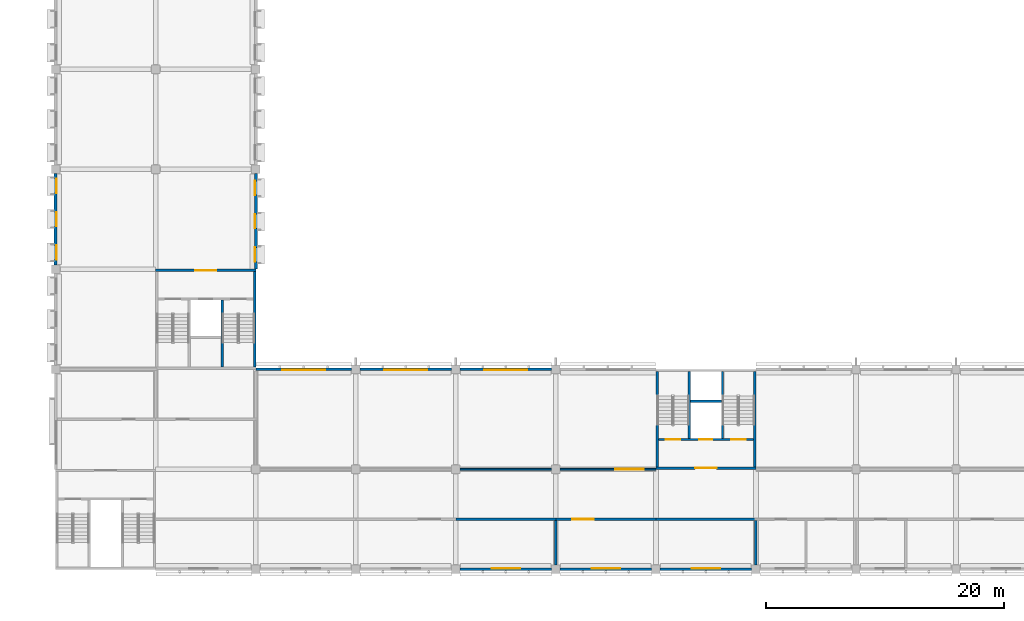
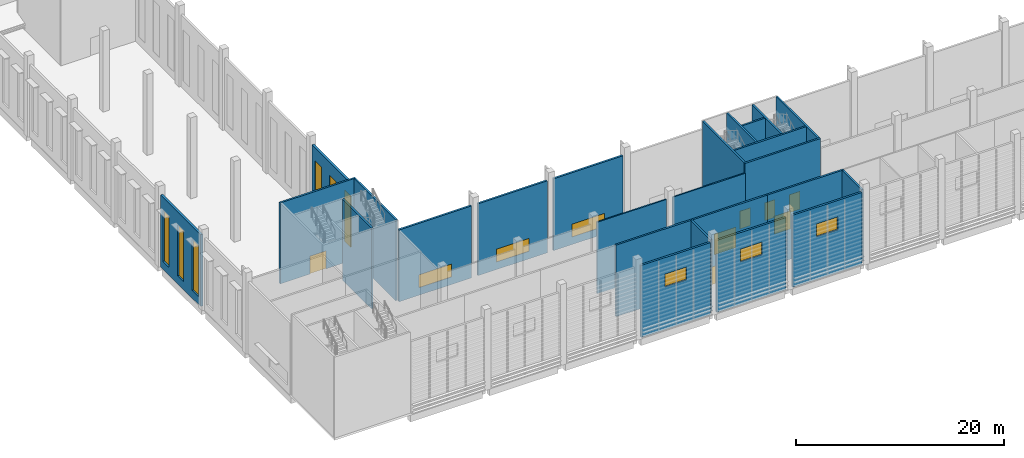
# One storey, part 41 of 114: 25 walls, 12 windows, 7 doors, 19 openings.
"""IFC4 building model written with IfcOpenShell, lengths in metres."""

from ifc_helpers import new_model, si_unit, direction, frame, frame_2d, origin, place, context, subcontext, project, spatial, rectangle, extrude, material, layer, layer_set, type_object, element, fill, save


model = new_model("IFC4")

# Units and contexts
model_context = context("Model", 3, precision=1e-05, world=origin(), true_north=direction((0.0, 1.0)))
body_context = subcontext(model_context, "Body", "Model", "MODEL_VIEW")
ifc_project = project(units=[si_unit("LENGTHUNIT", "METRE"), si_unit("AREAUNIT", "SQUARE_METRE"), si_unit("VOLUMEUNIT", "CUBIC_METRE"), si_unit("PLANEANGLEUNIT", "RADIAN"), si_unit("MASSUNIT", "GRAM", prefix="KILO")], contexts=[model_context])

# Site, building, storey
site_placement = place(None, origin())
site = spatial("IfcSite", under=ifc_project, at=site_placement, CompositionType="ELEMENT")
building_placement = place(site_placement, origin())
building = spatial("IfcBuilding", under=site, at=building_placement, Name="Almond Square Museum", CompositionType="ELEMENT")
storey_placement = place(building_placement, frame((0.0, 0.0, 10.5)))
storey = spatial("IfcBuildingStorey", under=building, at=storey_placement, Name="L02", CompositionType="ELEMENT", Elevation=10.5)

# Wall
ifc_material_1 = material(Name="Concrete blockwork 200", Category="masonry")
ifc_layer_1 = layer(ifc_material_1, 0.199951171875)
ifc_layer_set_1 = layer_set([ifc_layer_1], Name="Concrete blockwork 200")
wall_type_1 = type_object("IfcWallType", Name="Fire partition 200 blockwork", PredefinedType="PARTITIONING", material=ifc_layer_set_1)
wall_1_placement = place(storey_placement, frame((39.60009765625, 4.199951171875, 0.0), z_axis=(0.0, 0.0, 1.0), x_axis=(1.0, 0.0, 0.0)))
element("IfcWall", 1, at=wall_1_placement, inside=storey, type_object=wall_type_1, Name="L02 partition 55", PredefinedType="PARTITIONING", context=body_context, shape_type="SweptSolid", body=[
    extrude(rectangle(XDim=8.39990234375, YDim=0.199951171875, at=frame_2d((4.199951171875, 0.0))), origin(), (0.0, 0.0, 1.0), 8.39990234375),
])

# Wall, opening, door
wall_2_placement = place(storey_placement, frame((48.0, 4.199951171875, 0.0), z_axis=(0.0, 0.0, 1.0), x_axis=(1.0, 0.0, 0.0)))
wall_2 = element("IfcWall", 2, at=wall_2_placement, inside=storey, type_object=wall_type_1, Name="L02 partition 56", PredefinedType="PARTITIONING", context=body_context, shape_type="SweptSolid", body=[
    extrude(rectangle(XDim=8.39990234375, YDim=0.199951171875, at=frame_2d((4.199951171875, 0.0))), origin(), (0.0, 0.0, 1.0), 8.39990234375),
])
opening_1_placement = place(wall_2_placement, frame((1.375, 0.0, 0.0)))
opening_1 = element("IfcOpeningElement", 3, at=opening_1_placement, cuts=wall_2, Name="Opening D2112", PredefinedType="OPENING", context=body_context, shape_type="SweptSolid", body=[
    extrude(rectangle(XDim=1.800048828125, YDim=2.10009765625, at=frame_2d((0.89990234375, 1.050048828125))), frame((0.0, 0.10986328125, 0.0), z_axis=(0.0, -1.0, 0.0), x_axis=(1.0, 0.0, 0.0)), (0.0, 0.0, 1.0), 0.219970703125),
])
ifc_material_2 = material(Name="Steel", Category="steel")
door_type_1 = type_object("IfcDoorType", Name="Fire door 1800 x 2100 FD60 double", OperationType="NOTDEFINED", PredefinedType="DOOR", material=ifc_material_2)
door_1_placement = place(opening_1_placement, origin())
door_1 = element("IfcDoor", 4, at=door_1_placement, inside=storey, type_object=door_type_1, Name="L02 door Plant Room to Service Corridor 2", OperationType="DOUBLE_DOOR_SINGLE_SWING", OverallHeight=2.10009765625, OverallWidth=1.800048828125, PredefinedType="DOOR", context=body_context, shape_type="SweptSolid", body=[
    extrude(rectangle(XDim=1.800048828125, YDim=2.10009765625, at=frame_2d((0.89990234375, 1.050048828125))), frame((0.0, 0.02490234375, 0.0), z_axis=(0.0, -1.0, 0.0), x_axis=(1.0, 0.0, 0.0)), (0.0, 0.0, 1.0), 0.050048828125),
])
fill(opening_1, door_1)

# Walls
wall_3_placement = place(storey_placement, frame((56.39990234375, 4.199951171875, 0.0), z_axis=(0.0, 0.0, 1.0), x_axis=(1.0, 0.0, 0.0)))
element("IfcWall", 5, at=wall_3_placement, inside=storey, type_object=wall_type_1, Name="L02 partition 57", PredefinedType="PARTITIONING", context=body_context, shape_type="SweptSolid", body=[
    extrude(rectangle(XDim=8.5, YDim=0.199951171875, at=frame_2d((4.25, 0.0))), origin(), (0.0, 0.0, 1.0), 8.39990234375),
])
for number, where, z_axis, x_axis, name in (
    (6, (48.0, 0.35009765625, 0.0), (0.0, 0.0, 1.0), (0.0, 1.0, 0.0), "L02 partition 62"),
    (7, (64.800048828125, 0.35009765625, 0.0), (0.0, 0.0, 1.0), (0.0, 1.0, 0.0), "L02 partition 63"),
):
    element("IfcWall", number, at=place(storey_placement, frame(where, z_axis=z_axis, x_axis=x_axis)), inside=storey, type_object=wall_type_1, Name=name, PredefinedType="PARTITIONING", context=body_context, shape_type="SweptSolid", body=[
        extrude(rectangle(XDim=3.75, YDim=0.199951171875, at=frame_2d((1.875, 0.0))), origin(), (0.0, 0.0, 1.0), 8.39990234375),
    ])
ifc_material_3 = material(Name="Plasterboard on steel stud", Category="steel")
ifc_layer_2 = layer(ifc_material_3, 0.14990234375)
ifc_layer_set_2 = layer_set([ifc_layer_2], Name="Plasterboard on steel stud")
wall_type_2 = type_object("IfcWallType", Name="Partition 150 plasterboard on steel stud", PredefinedType="PARTITIONING", material=ifc_layer_set_2)
wall_4_placement = place(storey_placement, frame((39.949951171875, 8.39990234375, 0.0), z_axis=(0.0, 0.0, 1.0), x_axis=(1.0, 0.0, 0.0)))
element("IfcWall", 8, at=wall_4_placement, inside=storey, type_object=wall_type_2, Name="L02 partition 35", PredefinedType="PARTITIONING", context=body_context, shape_type="SweptSolid", body=[
    extrude(rectangle(XDim=7.699951171875, YDim=0.14990234375, at=frame_2d((3.85009765625, 0.0))), origin(), (0.0, 0.0, 1.0), 8.39990234375),
])

# Wall, opening, door
wall_5_placement = place(storey_placement, frame((48.35009765625, 8.39990234375, 0.0), z_axis=(0.0, 0.0, 1.0), x_axis=(1.0, 0.0, 0.0)))
wall_5 = element("IfcWall", 9, at=wall_5_placement, inside=storey, type_object=wall_type_2, Name="L02 partition 36", PredefinedType="PARTITIONING", context=body_context, shape_type="SweptSolid", body=[
    extrude(rectangle(XDim=8.0498046875, YDim=0.14990234375, at=frame_2d((4.02490234375, 0.0))), origin(), (0.0, 0.0, 1.0), 8.39990234375),
])
opening_2_placement = place(wall_5_placement, frame((4.625, 0.0, 0.0)))
opening_2 = element("IfcOpeningElement", 10, at=opening_2_placement, cuts=wall_5, Name="Opening D2109", PredefinedType="OPENING", context=body_context, shape_type="SweptSolid", body=[
    extrude(rectangle(XDim=2.39990234375, YDim=2.39990234375, at=frame_2d((1.199951171875, 1.199951171875))), frame((0.0, 0.0849609375, 0.0), z_axis=(0.0, -1.0, 0.0), x_axis=(1.0, 0.0, 0.0)), (0.0, 0.0, 1.0), 0.169921875),
])
ifc_material_4 = material(Name="Timber", Category="wood")
door_type_2 = type_object("IfcDoorType", Name="Gallery door 2400 x 2400 timber double", OperationType="NOTDEFINED", PredefinedType="DOOR", material=ifc_material_4)
door_2_placement = place(opening_2_placement, origin())
door_2 = element("IfcDoor", 11, at=door_2_placement, inside=storey, type_object=door_type_2, Name="L02 door Large Object Studio 2 to Service Corridor 2", OperationType="DOUBLE_DOOR_SINGLE_SWING", OverallHeight=2.39990234375, OverallWidth=2.39990234375, PredefinedType="DOOR", context=body_context, shape_type="SweptSolid", body=[
    extrude(rectangle(XDim=2.39990234375, YDim=2.39990234375, at=frame_2d((1.199951171875, 1.199951171875))), frame((0.0, 0.02490234375, 0.0), z_axis=(0.0, -1.0, 0.0), x_axis=(1.0, 0.0, 0.0)), (0.0, 0.0, 1.0), 0.050048828125),
])
fill(opening_2, door_2)

# Wall, openings, windows
ifc_material_5 = material(Name="Precast concrete C40/50", Category="concrete")
ifc_layer_3 = layer(ifc_material_5, 0.25)
ifc_layer_set_3 = layer_set([ifc_layer_3], Name="Precast concrete C40/50")
wall_type_3 = type_object("IfcWallType", Name="Precast concrete panel wall 250 with coral limestone piers", PredefinedType="SOLIDWALL", material=ifc_layer_set_3)
wall_6_placement = place(storey_placement, frame((22.800048828125, 25.199951171875, 0.0), z_axis=(0.0, 0.0, 1.0), x_axis=(0.0, 1.0, 0.0)))
wall_6 = element("IfcWall", 12, at=wall_6_placement, inside=storey, type_object=wall_type_3, Name="External wall W2 V4W L02 E01", PredefinedType="SOLIDWALL", context=body_context, shape_type="SweptSolid", body=[
    extrude(rectangle(XDim=8.050048828125, YDim=0.25, at=frame_2d((4.02490234375, 0.0))), origin(), (0.0, 0.0, 1.0), 8.43994140625),
])
opening_3_placement = place(wall_6_placement, frame((0.625, 0.0, 0.89990234375)))
opening_3 = element("IfcOpeningElement", 13, at=opening_3_placement, cuts=wall_6, Name="Opening W2038", PredefinedType="OPENING", context=body_context, shape_type="SweptSolid", body=[
    extrude(rectangle(XDim=1.199951171875, YDim=6.0, at=frame_2d((0.60009765625, 3.0))), frame((0.0, 0.135009765625, 0.0), z_axis=(0.0, -1.0, 0.0), x_axis=(1.0, 0.0, 0.0)), (0.0, 0.0, 1.0), 0.27001953125),
])
opening_4_placement = place(wall_6_placement, frame((3.425048828125, 0.0, 0.89990234375)))
opening_4 = element("IfcOpeningElement", 14, at=opening_4_placement, cuts=wall_6, Name="Opening W2039", PredefinedType="OPENING", context=body_context, shape_type="SweptSolid", body=[
    extrude(rectangle(XDim=1.199951171875, YDim=6.0, at=frame_2d((0.60009765625, 3.0))), frame((0.0, 0.135009765625, 0.0), z_axis=(0.0, -1.0, 0.0), x_axis=(1.0, 0.0, 0.0)), (0.0, 0.0, 1.0), 0.27001953125),
])
opening_5_placement = place(wall_6_placement, frame((6.22509765625, 0.0, 0.89990234375)))
opening_5 = element("IfcOpeningElement", 15, at=opening_5_placement, cuts=wall_6, Name="Opening W2040", PredefinedType="OPENING", context=body_context, shape_type="SweptSolid", body=[
    extrude(rectangle(XDim=1.199951171875, YDim=6.0, at=frame_2d((0.60009765625, 3.0))), frame((0.0, 0.135009765625, 0.0), z_axis=(0.0, -1.0, 0.0), x_axis=(1.0, 0.0, 0.0)), (0.0, 0.0, 1.0), 0.27001953125),
])
ifc_material_6 = material(Name="Anodised aluminium louvre and laminated glass", Category="aluminium")
window_type_1 = type_object("IfcWindowType", Name="Tall louvred pier window", PartitioningType="SINGLE_PANEL", PredefinedType="WINDOW", material=ifc_material_6)
window_1_placement = place(opening_3_placement, origin())
window_1 = element("IfcWindow", 16, at=window_1_placement, inside=storey, type_object=window_type_1, Name="Tall louvred pier window W2038", OverallHeight=6.0, OverallWidth=1.199951171875, PartitioningType="SINGLE_PANEL", PredefinedType="WINDOW", context=body_context, shape_type="SweptSolid", body=[
    extrude(rectangle(XDim=1.199951171875, YDim=6.0, at=frame_2d((0.60009765625, 3.0))), frame((0.0, 0.10498046875, 0.0), z_axis=(0.0, -1.0, 0.0), x_axis=(1.0, 0.0, 0.0)), (0.0, 0.0, 1.0), 0.06005859375),
])
fill(opening_3, window_1)
window_2_placement = place(opening_4_placement, origin())
window_2 = element("IfcWindow", 17, at=window_2_placement, inside=storey, type_object=window_type_1, Name="Tall louvred pier window W2039", OverallHeight=6.0, OverallWidth=1.199951171875, PartitioningType="SINGLE_PANEL", PredefinedType="WINDOW", context=body_context, shape_type="SweptSolid", body=[
    extrude(rectangle(XDim=1.199951171875, YDim=6.0, at=frame_2d((0.60009765625, 3.0))), frame((0.0, 0.10498046875, 0.0), z_axis=(0.0, -1.0, 0.0), x_axis=(1.0, 0.0, 0.0)), (0.0, 0.0, 1.0), 0.06005859375),
])
fill(opening_4, window_2)
window_3_placement = place(opening_5_placement, origin())
window_3 = element("IfcWindow", 18, at=window_3_placement, inside=storey, type_object=window_type_1, Name="Tall louvred pier window W2040", OverallHeight=6.0, OverallWidth=1.199951171875, PartitioningType="SINGLE_PANEL", PredefinedType="WINDOW", context=body_context, shape_type="SweptSolid", body=[
    extrude(rectangle(XDim=1.199951171875, YDim=6.0, at=frame_2d((0.60009765625, 3.0))), frame((0.0, 0.10498046875, 0.0), z_axis=(0.0, -1.0, 0.0), x_axis=(1.0, 0.0, 0.0)), (0.0, 0.0, 1.0), 0.06005859375),
])
fill(opening_5, window_3)

wall_7_placement = place(storey_placement, frame((6.0, 25.550048828125, 0.0), z_axis=(0.0, 0.0, 1.0), x_axis=(0.0, 1.0, 0.0)))
wall_7 = element("IfcWall", 19, at=wall_7_placement, inside=storey, type_object=wall_type_3, Name="External wall W2 V4W L02 W06", PredefinedType="SOLIDWALL", context=body_context, shape_type="SweptSolid", body=[
    extrude(rectangle(XDim=7.699951171875, YDim=0.25, at=frame_2d((3.85009765625, 0.0))), origin(), (0.0, 0.0, 1.0), 8.43994140625),
])
opening_6_placement = place(wall_7_placement, frame((0.449951171875, 0.0, 0.89990234375)))
opening_6 = element("IfcOpeningElement", 20, at=opening_6_placement, cuts=wall_7, Name="Opening W2068", PredefinedType="OPENING", context=body_context, shape_type="SweptSolid", body=[
    extrude(rectangle(XDim=1.199951171875, YDim=6.0, at=frame_2d((0.60009765625, 3.0))), frame((0.0, 0.135009765625, 0.0), z_axis=(0.0, -1.0, 0.0), x_axis=(1.0, 0.0, 0.0)), (0.0, 0.0, 1.0), 0.27001953125),
])
opening_7_placement = place(wall_7_placement, frame((3.25, 0.0, 0.89990234375)))
opening_7 = element("IfcOpeningElement", 21, at=opening_7_placement, cuts=wall_7, Name="Opening W2069", PredefinedType="OPENING", context=body_context, shape_type="SweptSolid", body=[
    extrude(rectangle(XDim=1.199951171875, YDim=6.0, at=frame_2d((0.60009765625, 3.0))), frame((0.0, 0.135009765625, 0.0), z_axis=(0.0, -1.0, 0.0), x_axis=(1.0, 0.0, 0.0)), (0.0, 0.0, 1.0), 0.27001953125),
])
opening_8_placement = place(wall_7_placement, frame((6.050048828125, 0.0, 0.89990234375)))
opening_8 = element("IfcOpeningElement", 22, at=opening_8_placement, cuts=wall_7, Name="Opening W2070", PredefinedType="OPENING", context=body_context, shape_type="SweptSolid", body=[
    extrude(rectangle(XDim=1.199951171875, YDim=6.0, at=frame_2d((0.60009765625, 3.0))), frame((0.0, 0.135009765625, 0.0), z_axis=(0.0, -1.0, 0.0), x_axis=(1.0, 0.0, 0.0)), (0.0, 0.0, 1.0), 0.27001953125),
])
window_4_placement = place(opening_6_placement, origin())
window_4 = element("IfcWindow", 23, at=window_4_placement, inside=storey, type_object=window_type_1, Name="Tall louvred pier window W2068", OverallHeight=6.0, OverallWidth=1.199951171875, PartitioningType="SINGLE_PANEL", PredefinedType="WINDOW", context=body_context, shape_type="SweptSolid", body=[
    extrude(rectangle(XDim=1.199951171875, YDim=6.0, at=frame_2d((0.60009765625, 3.0))), frame((0.0, -0.044921875, 0.0), z_axis=(0.0, -1.0, 0.0), x_axis=(1.0, 0.0, 0.0)), (0.0, 0.0, 1.0), 0.06005859375),
])
fill(opening_6, window_4)
window_5_placement = place(opening_7_placement, origin())
window_5 = element("IfcWindow", 24, at=window_5_placement, inside=storey, type_object=window_type_1, Name="Tall louvred pier window W2069", OverallHeight=6.0, OverallWidth=1.199951171875, PartitioningType="SINGLE_PANEL", PredefinedType="WINDOW", context=body_context, shape_type="SweptSolid", body=[
    extrude(rectangle(XDim=1.199951171875, YDim=6.0, at=frame_2d((0.60009765625, 3.0))), frame((0.0, -0.044921875, 0.0), z_axis=(0.0, -1.0, 0.0), x_axis=(1.0, 0.0, 0.0)), (0.0, 0.0, 1.0), 0.06005859375),
])
fill(opening_7, window_5)
window_6_placement = place(opening_8_placement, origin())
window_6 = element("IfcWindow", 25, at=window_6_placement, inside=storey, type_object=window_type_1, Name="Tall louvred pier window W2070", OverallHeight=6.0, OverallWidth=1.199951171875, PartitioningType="SINGLE_PANEL", PredefinedType="WINDOW", context=body_context, shape_type="SweptSolid", body=[
    extrude(rectangle(XDim=1.199951171875, YDim=6.0, at=frame_2d((0.60009765625, 3.0))), frame((0.0, -0.044921875, 0.0), z_axis=(0.0, -1.0, 0.0), x_axis=(1.0, 0.0, 0.0)), (0.0, 0.0, 1.0), 0.06005859375),
])
fill(opening_8, window_6)

# Wall, opening, door
ifc_material_7 = material(Name="Concrete C40/50", Category="concrete")
ifc_layer_4 = layer(ifc_material_7, 0.199951171875)
ifc_layer_set_4 = layer_set([ifc_layer_4], Name="Concrete C40/50")
wall_type_4 = type_object("IfcWallType", Name="RC shear wall 200 C40/50", PredefinedType="SHEAR", material=ifc_layer_set_4)
wall_8_placement = place(storey_placement, frame((14.39990234375, 25.10009765625, 0.0), z_axis=(0.0, 0.0, 1.0), x_axis=(1.0, 0.0, 0.0)))
wall_8 = element("IfcWall", 26, at=wall_8_placement, inside=storey, type_object=wall_type_4, Name="Core W1 north wall L02", PredefinedType="SHEAR", context=body_context, shape_type="SweptSolid", body=[
    extrude(rectangle(XDim=8.400146484375, YDim=0.199951171875, at=frame_2d((4.2001953125, 0.0))), origin(), (0.0, 0.0, 1.0), 9.5),
])
opening_9_placement = place(wall_8_placement, frame((3.300048828125, 0.0, 0.0)))
opening_9 = element("IfcOpeningElement", 27, at=opening_9_placement, cuts=wall_8, Name="Opening D2155", PredefinedType="OPENING", context=body_context, shape_type="SweptSolid", body=[
    extrude(rectangle(XDim=1.800048828125, YDim=2.10009765625, at=frame_2d((0.89990234375, 1.050048828125))), frame((0.0, 0.10986328125, 0.0), z_axis=(0.0, -1.0, 0.0), x_axis=(1.0, 0.0, 0.0)), (0.0, 0.0, 1.0), 0.219970703125),
])
door_3_placement = place(opening_9_placement, origin())
door_3 = element("IfcDoor", 28, at=door_3_placement, inside=storey, type_object=door_type_1, Name="L02 stair core W1 lobby door", OperationType="DOUBLE_DOOR_SINGLE_SWING", OverallHeight=2.10009765625, OverallWidth=1.800048828125, PredefinedType="DOOR", context=body_context, shape_type="SweptSolid", body=[
    extrude(rectangle(XDim=1.800048828125, YDim=2.10009765625, at=frame_2d((0.89990234375, 1.050048828125))), frame((0.0, 0.02490234375, 0.0), z_axis=(0.0, -1.0, 0.0), x_axis=(1.0, 0.0, 0.0)), (0.0, 0.0, 1.0), 0.050048828125),
])
fill(opening_9, door_3)

# Walls
wall_9_placement = place(storey_placement, frame((22.699951171875, 17.0, 0.0), z_axis=(0.0, 0.0, 1.0), x_axis=(0.0, 1.0, 0.0)))
element("IfcWall", 29, at=wall_9_placement, inside=storey, type_object=wall_type_4, Name="Core W1 east wall L02", PredefinedType="SHEAR", context=body_context, shape_type="SweptSolid", body=[
    extrude(rectangle(XDim=8.0, YDim=0.199951171875, at=frame_2d((4.0, 0.0))), origin(), (0.0, 0.0, 1.0), 9.5),
])
wall_10_placement = place(storey_placement, frame((20.0, 17.0, 0.0), z_axis=(0.0, 0.0, 1.0), x_axis=(0.0, 1.0, 0.0)))
element("IfcWall", 30, at=wall_10_placement, inside=storey, type_object=wall_type_4, Name="Core W1 partition wall L02", PredefinedType="SHEAR", context=body_context, shape_type="SweptSolid", body=[
    extrude(rectangle(XDim=5.60009765625, YDim=0.199951171875, at=frame_2d((2.800048828125, 0.0))), origin(), (0.0, 0.0, 1.0), 9.5),
])

# Wall, opening, door
wall_11_placement = place(storey_placement, frame((56.39990234375, 8.5, 0.0), z_axis=(0.0, 0.0, 1.0), x_axis=(1.0, 0.0, 0.0)))
wall_11 = element("IfcWall", 31, at=wall_11_placement, inside=storey, type_object=wall_type_4, Name="Core S2 south wall L02", PredefinedType="SHEAR", context=body_context, shape_type="SweptSolid", body=[
    extrude(rectangle(XDim=8.400146484375, YDim=0.199951171875, at=frame_2d((4.2001953125, 0.0))), origin(), (0.0, 0.0, 1.0), 9.5),
])
opening_10_placement = place(wall_11_placement, frame((3.300048828125, 0.0, 0.0)))
opening_10 = element("IfcOpeningElement", 32, at=opening_10_placement, cuts=wall_11, Name="Opening D2169", PredefinedType="OPENING", context=body_context, shape_type="SweptSolid", body=[
    extrude(rectangle(XDim=1.800048828125, YDim=2.10009765625, at=frame_2d((0.89990234375, 1.050048828125))), frame((0.0, 0.10986328125, 0.0), z_axis=(0.0, -1.0, 0.0), x_axis=(1.0, 0.0, 0.0)), (0.0, 0.0, 1.0), 0.219970703125),
])
door_4_placement = place(opening_10_placement, origin())
door_4 = element("IfcDoor", 33, at=door_4_placement, inside=storey, type_object=door_type_1, Name="L02 stair core S2 lobby door", OperationType="DOUBLE_DOOR_SINGLE_SWING", OverallHeight=2.10009765625, OverallWidth=1.800048828125, PredefinedType="DOOR", context=body_context, shape_type="SweptSolid", body=[
    extrude(rectangle(XDim=1.800048828125, YDim=2.10009765625, at=frame_2d((0.89990234375, 1.050048828125))), frame((0.0, 0.02490234375, 0.0), z_axis=(0.0, -1.0, 0.0), x_axis=(1.0, 0.0, 0.0)), (0.0, 0.0, 1.0), 0.050048828125),
])
fill(opening_10, door_4)

# Walls
for number, where, z_axis, x_axis, name in (
    (34, (56.5, 8.60009765625, 0.0), (0.0, 0.0, 1.0), (0.0, 1.0, 0.0), "Core S2 west wall L02"),
    (35, (64.699951171875, 8.60009765625, 0.0), (0.0, 0.0, 1.0), (0.0, 1.0, 0.0), "Core S2 east wall L02"),
):
    element("IfcWall", number, at=place(storey_placement, frame(where, z_axis=z_axis, x_axis=x_axis)), inside=storey, type_object=wall_type_4, Name=name, PredefinedType="SHEAR", context=body_context, shape_type="SweptSolid", body=[
        extrude(rectangle(XDim=8.0, YDim=0.199951171875, at=frame_2d((4.0, 0.0))), origin(), (0.0, 0.0, 1.0), 9.5),
    ])

# Wall, openings, doors
wall_12_placement = place(storey_placement, frame((56.60009765625, 10.89990234375, 0.0), z_axis=(0.0, 0.0, 1.0), x_axis=(1.0, 0.0, 0.0)))
wall_12 = element("IfcWall", 36, at=wall_12_placement, inside=storey, type_object=wall_type_4, Name="Core S2 lobby wall L02", PredefinedType="SHEAR", context=body_context, shape_type="SweptSolid", body=[
    extrude(rectangle(XDim=8.0, YDim=0.199951171875, at=frame_2d((4.0, 0.0))), origin(), (0.0, 0.0, 1.0), 9.5),
])
opening_11_placement = place(wall_12_placement, frame((0.64990234375, 0.0, 0.0)))
opening_11 = element("IfcOpeningElement", 37, at=opening_11_placement, cuts=wall_12, Name="Opening D2170", PredefinedType="OPENING", context=body_context, shape_type="SweptSolid", body=[
    extrude(rectangle(XDim=1.199951171875, YDim=2.10009765625, at=frame_2d((0.60009765625, 1.050048828125))), frame((0.0, 0.10986328125, 0.0), z_axis=(0.0, -1.0, 0.0), x_axis=(1.0, 0.0, 0.0)), (0.0, 0.0, 1.0), 0.219970703125),
])
opening_12_placement = place(wall_12_placement, frame((6.14990234375, 0.0, 0.0)))
opening_12 = element("IfcOpeningElement", 38, at=opening_12_placement, cuts=wall_12, Name="Opening D2171", PredefinedType="OPENING", context=body_context, shape_type="SweptSolid", body=[
    extrude(rectangle(XDim=1.199951171875, YDim=2.10009765625, at=frame_2d((0.60009765625, 1.050048828125))), frame((0.0, 0.10986328125, 0.0), z_axis=(0.0, -1.0, 0.0), x_axis=(1.0, 0.0, 0.0)), (0.0, 0.0, 1.0), 0.219970703125),
])
opening_13_placement = place(wall_12_placement, frame((3.449951171875, 0.0, 0.0)))
opening_13 = element("IfcOpeningElement", 39, at=opening_13_placement, cuts=wall_12, Name="Opening D2172", PredefinedType="OPENING", context=body_context, shape_type="SweptSolid", body=[
    extrude(rectangle(XDim=1.10009765625, YDim=2.10009765625, at=frame_2d((0.550048828125, 1.050048828125))), frame((0.0, 0.10986328125, 0.0), z_axis=(0.0, -1.0, 0.0), x_axis=(1.0, 0.0, 0.0)), (0.0, 0.0, 1.0), 0.219970703125),
])
ifc_material_8 = material(Name="Steel", Category="steel")
door_type_3 = type_object("IfcDoorType", Name="Fire door 1200 x 2100 FD120 stair", OperationType="NOTDEFINED", PredefinedType="DOOR", material=ifc_material_8)
door_5_placement = place(opening_11_placement, origin())
door_5 = element("IfcDoor", 40, at=door_5_placement, inside=storey, type_object=door_type_3, Name="L02 stair S2-1 door", OperationType="SINGLE_SWING_LEFT", OverallHeight=2.10009765625, OverallWidth=1.199951171875, PredefinedType="DOOR", context=body_context, shape_type="SweptSolid", body=[
    extrude(rectangle(XDim=1.199951171875, YDim=2.10009765625, at=frame_2d((0.60009765625, 1.050048828125))), frame((0.0, 0.02490234375, 0.0), z_axis=(0.0, -1.0, 0.0), x_axis=(1.0, 0.0, 0.0)), (0.0, 0.0, 1.0), 0.050048828125),
])
fill(opening_11, door_5)
door_6_placement = place(opening_12_placement, origin())
door_6 = element("IfcDoor", 41, at=door_6_placement, inside=storey, type_object=door_type_3, Name="L02 stair S2-2 door", OperationType="SINGLE_SWING_RIGHT", OverallHeight=2.10009765625, OverallWidth=1.199951171875, PredefinedType="DOOR", context=body_context, shape_type="SweptSolid", body=[
    extrude(rectangle(XDim=1.199951171875, YDim=2.10009765625, at=frame_2d((0.60009765625, 1.050048828125))), frame((0.0, 0.02490234375, 0.0), z_axis=(0.0, -1.0, 0.0), x_axis=(1.0, 0.0, 0.0)), (0.0, 0.0, 1.0), 0.050048828125),
])
fill(opening_12, door_6)
ifc_material_9 = material(Name="Stainless steel", Category="steel")
door_type_4 = type_object("IfcDoorType", Name="Lift landing door 1100 x 2100", OperationType="NOTDEFINED", PredefinedType="DOOR", material=ifc_material_9)
door_7_placement = place(opening_13_placement, origin())
door_7 = element("IfcDoor", 42, at=door_7_placement, inside=storey, type_object=door_type_4, Name="L02 lift PL-S2 landing door", OperationType="DOUBLE_DOOR_SLIDING", OverallHeight=2.10009765625, OverallWidth=1.10009765625, PredefinedType="DOOR", context=body_context, shape_type="SweptSolid", body=[
    extrude(rectangle(XDim=1.10009765625, YDim=2.10009765625, at=frame_2d((0.550048828125, 1.050048828125))), frame((0.0, 0.02490234375, 0.0), z_axis=(0.0, -1.0, 0.0), x_axis=(1.0, 0.0, 0.0)), (0.0, 0.0, 1.0), 0.050048828125),
])
fill(opening_13, door_7)

# Walls
for number, where, z_axis, x_axis, name in (
    (43, (59.199951171875, 11.0, 0.0), (0.0, 0.0, 1.0), (0.0, 1.0, 0.0), "Core S2 partition wall L02"),
    (44, (62.0, 11.0, 0.0), (0.0, 0.0, 1.0), (0.0, 1.0, 0.0), "Core S2 partition wall L02"),
):
    element("IfcWall", number, at=place(storey_placement, frame(where, z_axis=z_axis, x_axis=x_axis)), inside=storey, type_object=wall_type_4, Name=name, PredefinedType="SHEAR", context=body_context, shape_type="SweptSolid", body=[
        extrude(rectangle(XDim=5.60009765625, YDim=0.199951171875, at=frame_2d((2.800048828125, 0.0))), origin(), (0.0, 0.0, 1.0), 9.5),
    ])
wall_13_placement = place(storey_placement, frame((59.300048828125, 14.10009765625, 0.0), z_axis=(0.0, 0.0, 1.0), x_axis=(1.0, 0.0, 0.0)))
element("IfcWall", 45, at=wall_13_placement, inside=storey, type_object=wall_type_4, Name="Core S2 partition wall L02", PredefinedType="SHEAR", context=body_context, shape_type="SweptSolid", body=[
    extrude(rectangle(XDim=2.599853515625, YDim=0.199951171875, at=frame_2d((1.2998046875, 0.0))), origin(), (0.0, 0.0, 1.0), 9.5),
])

# Wall, opening, window
ifc_material_10 = material(Name="Concrete C30/37", Category="concrete")
ifc_layer_5 = layer(ifc_material_10, 0.219970703125)
ifc_layer_set_5 = layer_set([ifc_layer_5], Name="Concrete C30/37")
wall_type_5 = type_object("IfcWallType", Name="Stucco panel wall 220 with insulation", PredefinedType="SOLIDWALL", material=ifc_layer_set_5)
wall_14_placement = place(storey_placement, frame((39.949951171875, 0.0, 0.0), z_axis=(0.0, 0.0, 1.0), x_axis=(1.0, 0.0, 0.0)))
wall_14 = element("IfcWall", 46, at=wall_14_placement, inside=storey, type_object=wall_type_5, Name="External wall W4 V5S L02 S04", PredefinedType="SOLIDWALL", context=body_context, shape_type="SweptSolid", body=[
    extrude(rectangle(XDim=7.699951171875, YDim=0.219970703125, at=frame_2d((3.85009765625, 0.0))), origin(), (0.0, 0.0, 1.0), 8.43994140625),
])
opening_14_placement = place(wall_14_placement, frame((2.64990234375, 0.0, 5.0)))
opening_14 = element("IfcOpeningElement", 47, at=opening_14_placement, cuts=wall_14, Name="Opening W2004", PredefinedType="OPENING", context=body_context, shape_type="SweptSolid", body=[
    extrude(rectangle(XDim=2.39990234375, YDim=1.5, at=frame_2d((1.199951171875, 0.75))), frame((0.0, 0.119873046875, 0.0), z_axis=(0.0, -1.0, 0.0), x_axis=(1.0, 0.0, 0.0)), (0.0, 0.0, 1.0), 0.239990234375),
])
ifc_material_11 = material(Name="Aluminium frame and laminated glass", Category="aluminium")
window_type_2 = type_object("IfcWindowType", Name="Tall studio clerestory window", PartitioningType="SINGLE_PANEL", PredefinedType="WINDOW", material=ifc_material_11)
window_7_placement = place(opening_14_placement, origin())
window_7 = element("IfcWindow", 48, at=window_7_placement, inside=storey, type_object=window_type_2, Name="Tall studio clerestory window W2004", OverallHeight=1.5, OverallWidth=2.39990234375, PartitioningType="SINGLE_PANEL", PredefinedType="WINDOW", context=body_context, shape_type="SweptSolid", body=[
    extrude(rectangle(XDim=2.39990234375, YDim=1.5, at=frame_2d((1.199951171875, 0.75))), frame((0.0, 0.090087890625, 0.0), z_axis=(0.0, -1.0, 0.0), x_axis=(1.0, 0.0, 0.0)), (0.0, 0.0, 1.0), 0.06005859375),
])
fill(opening_14, window_7)

wall_15_placement = place(storey_placement, frame((48.35009765625, 0.0, 0.0), z_axis=(0.0, 0.0, 1.0), x_axis=(1.0, 0.0, 0.0)))
wall_15 = element("IfcWall", 49, at=wall_15_placement, inside=storey, type_object=wall_type_5, Name="External wall W4 V5S L02 S05", PredefinedType="SOLIDWALL", context=body_context, shape_type="SweptSolid", body=[
    extrude(rectangle(XDim=7.699951171875, YDim=0.219970703125, at=frame_2d((3.85009765625, 0.0))), origin(), (0.0, 0.0, 1.0), 8.43994140625),
])
opening_15_placement = place(wall_15_placement, frame((2.64990234375, 0.0, 5.0)))
opening_15 = element("IfcOpeningElement", 50, at=opening_15_placement, cuts=wall_15, Name="Opening W2005", PredefinedType="OPENING", context=body_context, shape_type="SweptSolid", body=[
    extrude(rectangle(XDim=2.39990234375, YDim=1.5, at=frame_2d((1.199951171875, 0.75))), frame((0.0, 0.119873046875, 0.0), z_axis=(0.0, -1.0, 0.0), x_axis=(1.0, 0.0, 0.0)), (0.0, 0.0, 1.0), 0.239990234375),
])
window_8_placement = place(opening_15_placement, origin())
window_8 = element("IfcWindow", 51, at=window_8_placement, inside=storey, type_object=window_type_2, Name="Tall studio clerestory window W2005", OverallHeight=1.5, OverallWidth=2.39990234375, PartitioningType="SINGLE_PANEL", PredefinedType="WINDOW", context=body_context, shape_type="SweptSolid", body=[
    extrude(rectangle(XDim=2.39990234375, YDim=1.5, at=frame_2d((1.199951171875, 0.75))), frame((0.0, 0.090087890625, 0.0), z_axis=(0.0, -1.0, 0.0), x_axis=(1.0, 0.0, 0.0)), (0.0, 0.0, 1.0), 0.06005859375),
])
fill(opening_15, window_8)

wall_16_placement = place(storey_placement, frame((56.75, 0.0, 0.0), z_axis=(0.0, 0.0, 1.0), x_axis=(1.0, 0.0, 0.0)))
wall_16 = element("IfcWall", 52, at=wall_16_placement, inside=storey, type_object=wall_type_5, Name="External wall W4 V5S L02 S06", PredefinedType="SOLIDWALL", context=body_context, shape_type="SweptSolid", body=[
    extrude(rectangle(XDim=7.699951171875, YDim=0.219970703125, at=frame_2d((3.85009765625, 0.0))), origin(), (0.0, 0.0, 1.0), 8.43994140625),
])
opening_16_placement = place(wall_16_placement, frame((2.64990234375, 0.0, 5.0)))
opening_16 = element("IfcOpeningElement", 53, at=opening_16_placement, cuts=wall_16, Name="Opening W2006", PredefinedType="OPENING", context=body_context, shape_type="SweptSolid", body=[
    extrude(rectangle(XDim=2.39990234375, YDim=1.5, at=frame_2d((1.199951171875, 0.75))), frame((0.0, 0.119873046875, 0.0), z_axis=(0.0, -1.0, 0.0), x_axis=(1.0, 0.0, 0.0)), (0.0, 0.0, 1.0), 0.239990234375),
])
window_9_placement = place(opening_16_placement, origin())
window_9 = element("IfcWindow", 54, at=window_9_placement, inside=storey, type_object=window_type_2, Name="Tall studio clerestory window W2006", OverallHeight=1.5, OverallWidth=2.39990234375, PartitioningType="SINGLE_PANEL", PredefinedType="WINDOW", context=body_context, shape_type="SweptSolid", body=[
    extrude(rectangle(XDim=2.39990234375, YDim=1.5, at=frame_2d((1.199951171875, 0.75))), frame((0.0, 0.090087890625, 0.0), z_axis=(0.0, -1.0, 0.0), x_axis=(1.0, 0.0, 0.0)), (0.0, 0.0, 1.0), 0.06005859375),
])
fill(opening_16, window_9)

wall_17_placement = place(storey_placement, frame((39.949951171875, 16.800048828125, 0.0), z_axis=(0.0, 0.0, 1.0), x_axis=(1.0, 0.0, 0.0)))
wall_17 = element("IfcWall", 55, at=wall_17_placement, inside=storey, type_object=wall_type_5, Name="External wall W4 V5S L02 N09", PredefinedType="SOLIDWALL", context=body_context, shape_type="SweptSolid", body=[
    extrude(rectangle(XDim=7.699951171875, YDim=0.219970703125, at=frame_2d((3.85009765625, 0.0))), origin(), (0.0, 0.0, 1.0), 8.43994140625),
])
opening_17_placement = place(wall_17_placement, frame((2.050048828125, 0.0, 0.89990234375)))
opening_17 = element("IfcOpeningElement", 56, at=opening_17_placement, cuts=wall_17, Name="Opening W2035", PredefinedType="OPENING", context=body_context, shape_type="SweptSolid", body=[
    extrude(rectangle(XDim=3.60009765625, YDim=1.5, at=frame_2d((1.800048828125, 0.75))), frame((0.0, 0.119873046875, 0.0), z_axis=(0.0, -1.0, 0.0), x_axis=(1.0, 0.0, 0.0)), (0.0, 0.0, 1.0), 0.239990234375),
])
ifc_material_12 = material(Name="Aluminium frame and laminated glass", Category="aluminium")
window_type_3 = type_object("IfcWindowType", Name="Office ribbon window", PartitioningType="SINGLE_PANEL", PredefinedType="WINDOW", material=ifc_material_12)
window_10_placement = place(opening_17_placement, origin())
window_10 = element("IfcWindow", 57, at=window_10_placement, inside=storey, type_object=window_type_3, Name="Office ribbon window W2035", OverallHeight=1.5, OverallWidth=3.60009765625, PartitioningType="DOUBLE_PANEL_VERTICAL", PredefinedType="WINDOW", context=body_context, shape_type="SweptSolid", body=[
    extrude(rectangle(XDim=3.60009765625, YDim=1.5, at=frame_2d((1.800048828125, 0.75))), frame((0.0, -0.030029296875, 0.0), z_axis=(0.0, -1.0, 0.0), x_axis=(1.0, 0.0, 0.0)), (0.0, 0.0, 1.0), 0.06005859375),
])
fill(opening_17, window_10)

wall_18_placement = place(storey_placement, frame((31.550048828125, 16.800048828125, 0.0), z_axis=(0.0, 0.0, 1.0), x_axis=(1.0, 0.0, 0.0)))
wall_18 = element("IfcWall", 58, at=wall_18_placement, inside=storey, type_object=wall_type_5, Name="External wall W4 V5S L02 N10", PredefinedType="SOLIDWALL", context=body_context, shape_type="SweptSolid", body=[
    extrude(rectangle(XDim=7.699951171875, YDim=0.219970703125, at=frame_2d((3.85009765625, 0.0))), origin(), (0.0, 0.0, 1.0), 8.43994140625),
])
opening_18_placement = place(wall_18_placement, frame((2.050048828125, 0.0, 0.89990234375)))
opening_18 = element("IfcOpeningElement", 59, at=opening_18_placement, cuts=wall_18, Name="Opening W2036", PredefinedType="OPENING", context=body_context, shape_type="SweptSolid", body=[
    extrude(rectangle(XDim=3.60009765625, YDim=1.5, at=frame_2d((1.800048828125, 0.75))), frame((0.0, 0.119873046875, 0.0), z_axis=(0.0, -1.0, 0.0), x_axis=(1.0, 0.0, 0.0)), (0.0, 0.0, 1.0), 0.239990234375),
])
window_11_placement = place(opening_18_placement, origin())
window_11 = element("IfcWindow", 60, at=window_11_placement, inside=storey, type_object=window_type_3, Name="Office ribbon window W2036", OverallHeight=1.5, OverallWidth=3.60009765625, PartitioningType="DOUBLE_PANEL_VERTICAL", PredefinedType="WINDOW", context=body_context, shape_type="SweptSolid", body=[
    extrude(rectangle(XDim=3.60009765625, YDim=1.5, at=frame_2d((1.800048828125, 0.75))), frame((0.0, -0.030029296875, 0.0), z_axis=(0.0, -1.0, 0.0), x_axis=(1.0, 0.0, 0.0)), (0.0, 0.0, 1.0), 0.06005859375),
])
fill(opening_18, window_11)

wall_19_placement = place(storey_placement, frame((22.800048828125, 16.800048828125, 0.0), z_axis=(0.0, 0.0, 1.0), x_axis=(1.0, 0.0, 0.0)))
wall_19 = element("IfcWall", 61, at=wall_19_placement, inside=storey, type_object=wall_type_5, Name="External wall W4 V5S L02 N11", PredefinedType="SOLIDWALL", context=body_context, shape_type="SweptSolid", body=[
    extrude(rectangle(XDim=8.050048828125, YDim=0.219970703125, at=frame_2d((4.02490234375, 0.0))), origin(), (0.0, 0.0, 1.0), 8.43994140625),
])
opening_19_placement = place(wall_19_placement, frame((2.22509765625, 0.0, 0.89990234375)))
opening_19 = element("IfcOpeningElement", 62, at=opening_19_placement, cuts=wall_19, Name="Opening W2037", PredefinedType="OPENING", context=body_context, shape_type="SweptSolid", body=[
    extrude(rectangle(XDim=3.60009765625, YDim=1.5, at=frame_2d((1.800048828125, 0.75))), frame((0.0, 0.119873046875, 0.0), z_axis=(0.0, -1.0, 0.0), x_axis=(1.0, 0.0, 0.0)), (0.0, 0.0, 1.0), 0.239990234375),
])
window_12_placement = place(opening_19_placement, origin())
window_12 = element("IfcWindow", 63, at=window_12_placement, inside=storey, type_object=window_type_3, Name="Office ribbon window W2037", OverallHeight=1.5, OverallWidth=3.60009765625, PartitioningType="DOUBLE_PANEL_VERTICAL", PredefinedType="WINDOW", context=body_context, shape_type="SweptSolid", body=[
    extrude(rectangle(XDim=3.60009765625, YDim=1.5, at=frame_2d((1.800048828125, 0.75))), frame((0.0, -0.030029296875, 0.0), z_axis=(0.0, -1.0, 0.0), x_axis=(1.0, 0.0, 0.0)), (0.0, 0.0, 1.0), 0.06005859375),
])
fill(opening_19, window_12)

save(model, "model.ifc")
